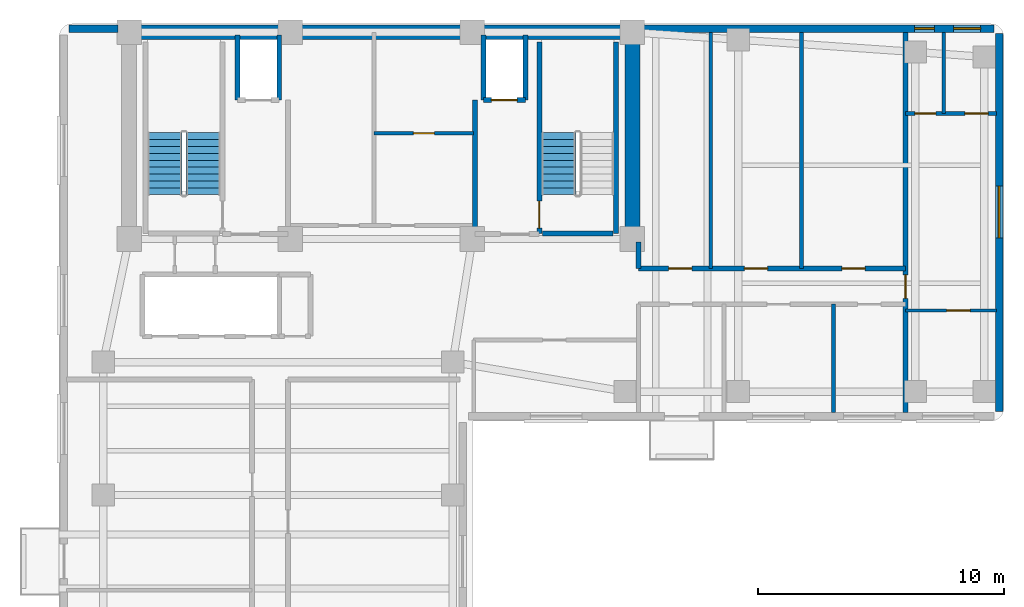
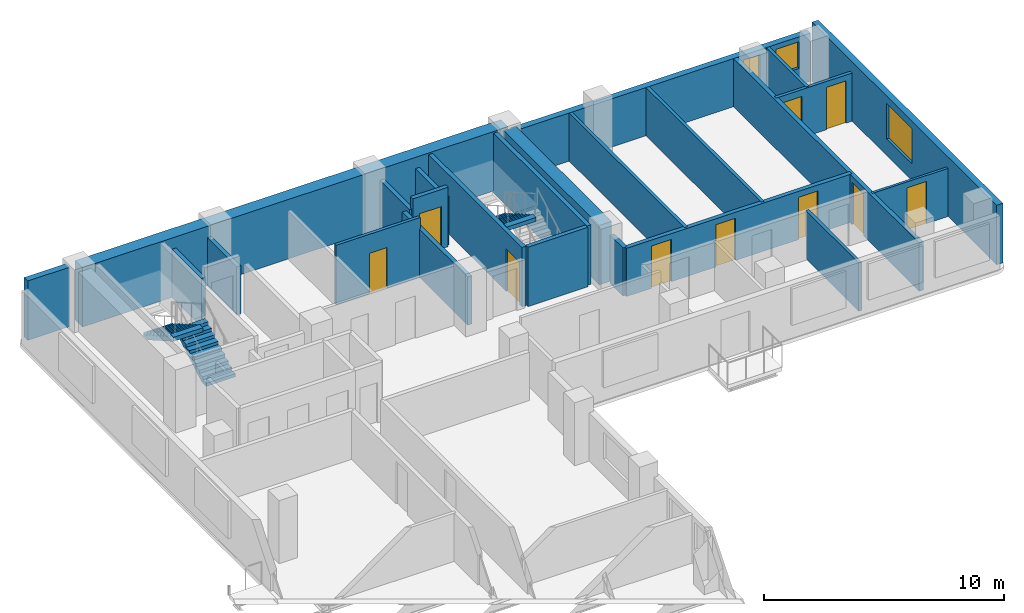
# One storey, part 4 of 7: 24 walls, 10 doors, 3 stair flights, 3 windows, 13 openings, 2 elements without a shape of their own.
"""IFC4 building model written with IfcOpenShell, lengths in metres."""

from ifc_helpers import new_model, si_unit, direction, frame, frame_2d, origin, place, context, subcontext, project, spatial, polyline, rectangle, outline, extrude, material, layer, layer_set, type_object, element, fill, aggregate, save


model = new_model("IFC4")

# Units and contexts
model_context = context("Model", 3, precision=1e-05, world=origin(), true_north=direction((0.0, 1.0)))
body_context = subcontext(model_context, "Body", "Model", "MODEL_VIEW")
ifc_project = project(units=[si_unit("LENGTHUNIT", "METRE"), si_unit("AREAUNIT", "SQUARE_METRE"), si_unit("VOLUMEUNIT", "CUBIC_METRE"), si_unit("PLANEANGLEUNIT", "RADIAN"), si_unit("MASSUNIT", "GRAM", prefix="KILO")], contexts=[model_context])

# Site, building, storey
site_placement = place(None, origin())
site = spatial("IfcSite", under=ifc_project, at=site_placement, CompositionType="ELEMENT")
building_placement = place(site_placement, origin())
building = spatial("IfcBuilding", under=site, at=building_placement, Name="Kuzgunbayir Cultural Tower", CompositionType="ELEMENT")
storey_placement = place(building_placement, frame((0.0, 0.0, 172.800048828125)))
storey = spatial("IfcBuildingStorey", under=building, at=storey_placement, Name="L50", CompositionType="ELEMENT", Elevation=172.800048828125)

# Walls
ifc_material_1 = material(Name="Concrete C60/75", Category="concrete")
ifc_layer_1 = layer(ifc_material_1, 0.60009765625)
ifc_layer_set_1 = layer_set([ifc_layer_1], Name="Concrete C60/75")
wall_type_1 = type_object("IfcWallType", Name="WAL-CORE-600", PredefinedType="SHEAR", material=ifc_layer_set_1)
wall_1_placement = place(storey_placement, frame((6.449951171875, 42.199951171875, 0.0), z_axis=(0.0, 0.0, 1.0), x_axis=(1.0, 0.0, 0.0)))
element("IfcWall", 1, at=wall_1_placement, inside=storey, type_object=wall_type_1, Name="L50 T1 Core North Shear Wall", PredefinedType="SHEAR", context=body_context, shape_type="SweptSolid", body=[
    extrude(rectangle(XDim=20.449951171875, YDim=0.60009765625, at=frame_2d((10.22509765625, 0.0))), origin(), (0.0, 0.0, 1.0), 3.02001953125),
])
wall_2_placement = place(storey_placement, frame((26.89990234375, 33.800048828125, 0.0), z_axis=(0.0, 0.0, 1.0), x_axis=(0.0, 1.0, 0.0)))
element("IfcWall", 2, at=wall_2_placement, inside=storey, type_object=wall_type_1, Name="L50 T1 Core East Shear Wall", PredefinedType="SHEAR", context=body_context, shape_type="SweptSolid", body=[
    extrude(rectangle(XDim=7.949951171875, YDim=0.60009765625, at=frame_2d((3.97509765625, 0.0))), origin(), (0.0, 0.0, 1.0), 3.02001953125),
])

# Wall, openings, windows
ifc_material_2 = material(Name="Anatolian Cream Limestone", Category="masonry")
ifc_layer_2 = layer(ifc_material_2, 0.300048828125)
ifc_layer_set_2 = layer_set([ifc_layer_2], Name="Anatolian Cream Limestone")
wall_type_2 = type_object("IfcWallType", Name="WAL-EXT-STONE-300", PredefinedType="STANDARD", material=ifc_layer_set_2)
wall_3_placement = place(storey_placement, frame((41.60009765625, 42.35009765625, 0.0), z_axis=(0.0, 0.0, 1.0), x_axis=(-1.0, 0.0, 0.0)))
wall_3 = element("IfcWall", 3, at=wall_3_placement, inside=storey, type_object=wall_type_2, Name="L50 North Wing B Limestone Wall", PredefinedType="STANDARD", context=body_context, shape_type="SweptSolid", body=[
    extrude(rectangle(XDim=14.25, YDim=0.300048828125, at=frame_2d((7.125, 0.0))), origin(), (0.0, 0.0, 1.0), 2.449951171875),
])
opening_1_placement = place(wall_3_placement, frame((2.429931640625, 0.0, 0.85009765625)))
opening_1 = element("IfcOpeningElement", 4, at=opening_1_placement, cuts=wall_3, Name="Opening WN-08", PredefinedType="OPENING", context=body_context, shape_type="SweptSolid", body=[
    extrude(rectangle(XDim=0.800048828125, YDim=1.35009765625, at=frame_2d((0.39990234375, 0.675048828125))), frame((0.0, 0.16015625, 0.0), z_axis=(0.0, -1.0, 0.0), x_axis=(1.0, 0.0, 0.0)), (0.0, 0.0, 1.0), 0.320068359375),
])
opening_2_placement = place(wall_3_placement, frame((0.550048828125, 0.0, 0.85009765625)))
opening_2 = element("IfcOpeningElement", 5, at=opening_2_placement, cuts=wall_3, Name="Opening WN-11", PredefinedType="OPENING", context=body_context, shape_type="SweptSolid", body=[
    extrude(rectangle(XDim=1.10009765625, YDim=1.35009765625, at=frame_2d((0.550048828125, 0.675048828125))), frame((0.0, 0.16015625, 0.0), z_axis=(0.0, -1.0, 0.0), x_axis=(1.0, 0.0, 0.0)), (0.0, 0.0, 1.0), 0.320068359375),
])
ifc_material_3 = material(Name="Solar-Control Triple Glazing", Category="glass")
window_type_1 = type_object("IfcWindowType", Name="WIN-NARROW-11", PartitioningType="SINGLE_PANEL", PredefinedType="WINDOW", material=ifc_material_3)
window_1_placement = place(opening_2_placement, origin())
window_1 = element("IfcWindow", 6, at=window_1_placement, inside=storey, type_object=window_type_1, Name="L50 CRN Facade Window 10", OverallHeight=1.35009765625, OverallWidth=1.10009765625, PartitioningType="SINGLE_PANEL", PredefinedType="WINDOW", context=body_context, shape_type="SweptSolid", body=[
    extrude(rectangle(XDim=1.10009765625, YDim=1.35009765625, at=frame_2d((0.550048828125, 0.675048828125))), frame((0.0, 0.030029296875, 0.0), z_axis=(0.0, -1.0, 0.0), x_axis=(1.0, 0.0, 0.0)), (0.0, 0.0, 1.0), 0.06005859375),
])
fill(opening_2, window_1)
window_type_2 = type_object("IfcWindowType", Name="WIN-NARROW-80", PartitioningType="SINGLE_PANEL", PredefinedType="WINDOW", material=ifc_material_3)
window_2_placement = place(opening_1_placement, origin())
window_2 = element("IfcWindow", 7, at=window_2_placement, inside=storey, type_object=window_type_2, Name="L50 CRN Facade Window 9", OverallHeight=1.35009765625, OverallWidth=0.800048828125, PartitioningType="SINGLE_PANEL", PredefinedType="WINDOW", context=body_context, shape_type="SweptSolid", body=[
    extrude(rectangle(XDim=0.800048828125, YDim=1.35009765625, at=frame_2d((0.39990234375, 0.675048828125))), frame((0.0, 0.030029296875, 0.0), z_axis=(0.0, -1.0, 0.0), x_axis=(1.0, 0.0, 0.0)), (0.0, 0.0, 1.0), 0.06005859375),
])
fill(opening_1, window_2)

# Wall
wall_4_placement = place(storey_placement, frame((6.0, 42.35009765625, 0.0), z_axis=(0.0, 0.0, 1.0), x_axis=(-1.0, 0.0, 0.0)))
element("IfcWall", 8, at=wall_4_placement, inside=storey, type_object=wall_type_2, Name="L50 Core North-West Spandrel Link", PredefinedType="STANDARD", context=body_context, shape_type="SweptSolid", body=[
    extrude(rectangle(XDim=2.0, YDim=0.300048828125, at=frame_2d((1.0, 0.0))), origin(), (0.0, 0.0, 1.0), 3.02001953125),
])

# Wall, opening, window
wall_5_placement = place(storey_placement, frame((41.800048828125, 26.800048828125, 0.0), z_axis=(0.0, 0.0, 1.0), x_axis=(0.0, 1.0, 0.0)))
wall_5 = element("IfcWall", 9, at=wall_5_placement, inside=storey, type_object=wall_type_2, Name="L50 Wing B East Limestone Wall", PredefinedType="STANDARD", context=body_context, shape_type="SweptSolid", body=[
    extrude(rectangle(XDim=15.349853515625, YDim=0.300048828125, at=frame_2d((7.6748046875, 0.0))), origin(), (0.0, 0.0, 1.0), 3.02001953125),
])
opening_3_placement = place(wall_5_placement, frame((7.050048828125, 0.0, 0.85009765625)))
opening_3 = element("IfcOpeningElement", 10, at=opening_3_placement, cuts=wall_5, Name="Opening WR-21", PredefinedType="OPENING", context=body_context, shape_type="SweptSolid", body=[
    extrude(rectangle(XDim=2.10009765625, YDim=1.800048828125, at=frame_2d((1.050048828125, 0.89990234375))), frame((0.0, 0.16015625, 0.0), z_axis=(0.0, -1.0, 0.0), x_axis=(1.0, 0.0, 0.0)), (0.0, 0.0, 1.0), 0.320068359375),
])
window_type_3 = type_object("IfcWindowType", Name="WIN-RESID-21", PartitioningType="SINGLE_PANEL", PredefinedType="WINDOW", material=ifc_material_3)
window_3_placement = place(opening_3_placement, origin())
window_3 = element("IfcWindow", 11, at=window_3_placement, inside=storey, type_object=window_type_3, Name="L50 WBE Facade Window 7", OverallHeight=1.800048828125, OverallWidth=2.10009765625, PartitioningType="SINGLE_PANEL", PredefinedType="WINDOW", context=body_context, shape_type="SweptSolid", body=[
    extrude(rectangle(XDim=2.10009765625, YDim=1.800048828125, at=frame_2d((1.050048828125, 0.89990234375))), frame((0.0, 0.030029296875, 0.0), z_axis=(0.0, -1.0, 0.0), x_axis=(1.0, 0.0, 0.0)), (0.0, 0.0, 1.0), 0.06005859375),
])
fill(opening_3, window_3)

# Wall, opening, door
ifc_material_4 = material(Name="Acoustic Double-Stud Drywall", Category="gypsum")
ifc_layer_3 = layer(ifc_material_4, 0.14990234375)
ifc_layer_set_3 = layer_set([ifc_layer_3], Name="Acoustic Double-Stud Drywall")
wall_type_3 = type_object("IfcWallType", Name="WAL-PART-ACOUSTIC-150", PredefinedType="PARTITIONING", material=ifc_layer_set_3)
wall_6_placement = place(storey_placement, frame((16.39990234375, 38.10009765625, 0.0), z_axis=(0.0, 0.0, 1.0), x_axis=(1.0, 0.0, 0.0)))
wall_6 = element("IfcWall", 12, at=wall_6_placement, inside=storey, type_object=wall_type_3, Name="L50 Sky Core Mid Divider", PredefinedType="PARTITIONING", context=body_context, shape_type="SweptSolid", body=[
    extrude(rectangle(XDim=4.050048828125, YDim=0.14990234375, at=frame_2d((2.02490234375, 0.0))), origin(), (0.0, 0.0, 1.0), 3.02001953125),
])
opening_4_placement = place(wall_6_placement, frame((1.60009765625, 0.0, 0.0)))
opening_4 = element("IfcOpeningElement", 13, at=opening_4_placement, cuts=wall_6, Name="Opening DC-85", PredefinedType="OPENING", context=body_context, shape_type="SweptSolid", body=[
    extrude(rectangle(XDim=0.85009765625, YDim=2.050048828125, at=frame_2d((0.425048828125, 1.02490234375))), frame((0.0, 0.0849609375, 0.0), z_axis=(0.0, -1.0, 0.0), x_axis=(1.0, 0.0, 0.0)), (0.0, 0.0, 1.0), 0.169921875),
])
ifc_material_5 = material(Name="Fire-Rated Veneered Oak Leaf", Category="wood")
door_type_1 = type_object("IfcDoorType", Name="DR-CORE-85", OperationType="NOTDEFINED", PredefinedType="DOOR", material=ifc_material_5)
door_1_placement = place(opening_4_placement, origin())
door_1 = element("IfcDoor", 14, at=door_1_placement, inside=storey, type_object=door_type_1, Name="L50 Meditation Room Door", OperationType="SINGLE_SWING_LEFT", OverallHeight=2.050048828125, OverallWidth=0.85009765625, PredefinedType="DOOR", context=body_context, shape_type="SweptSolid", body=[
    extrude(rectangle(XDim=0.85009765625, YDim=2.050048828125, at=frame_2d((0.425048828125, 1.02490234375))), frame((0.0, 0.02490234375, 0.0), z_axis=(0.0, -1.0, 0.0), x_axis=(1.0, 0.0, 0.0)), (0.0, 0.0, 1.0), 0.050048828125),
])
fill(opening_4, door_1)

# Walls
wall_7_placement = place(storey_placement, frame((35.070068359375, 26.75, 0.0), z_axis=(0.0, 0.0, 1.0), x_axis=(0.0, 1.0, 0.0)))
element("IfcWall", 15, at=wall_7_placement, inside=storey, type_object=wall_type_3, Name="L50 Wing B South Divider 2", PredefinedType="PARTITIONING", context=body_context, shape_type="SweptSolid", body=[
    extrude(rectangle(XDim=4.39990234375, YDim=0.14990234375, at=frame_2d((2.199951171875, 0.0))), origin(), (0.0, 0.0, 1.0), 2.449951171875),
])
for number, where, z_axis, x_axis, name in (
    (16, (30.080078125, 32.60009765625, 0.0), (0.0, 0.0, 1.0), (0.0, 1.0, 0.0), "L50 Wing B North Divider 1"),
    (17, (33.77001953125, 32.60009765625, 0.0), (0.0, 0.0, 1.0), (0.0, 1.0, 0.0), "L50 Wing B North Divider 2"),
):
    element("IfcWall", number, at=place(storey_placement, frame(where, z_axis=z_axis, x_axis=x_axis)), inside=storey, type_object=wall_type_3, Name=name, PredefinedType="PARTITIONING", context=body_context, shape_type="SweptSolid", body=[
        extrude(rectangle(XDim=9.599853515625, YDim=0.14990234375, at=frame_2d((4.7998046875, 0.0))), origin(), (0.0, 0.0, 1.0), 2.449951171875),
    ])
ifc_material_6 = material(Name="Aerated Concrete Blockwork", Category="masonry")
ifc_layer_4 = layer(ifc_material_6, 0.199951171875)
ifc_layer_set_4 = layer_set([ifc_layer_4], Name="Aerated Concrete Blockwork")
wall_type_4 = type_object("IfcWallType", Name="WAL-PART-FIRE-200", PredefinedType="PARTITIONING", material=ifc_layer_set_4)
wall_8_placement = place(storey_placement, frame((20.5, 34.0, 0.0), z_axis=(0.0, 0.0, 1.0), x_axis=(0.0, 1.0, 0.0)))
element("IfcWall", 18, at=wall_8_placement, inside=storey, type_object=wall_type_4, Name="L50 FFL-2 Lobby West Fire Wall", PredefinedType="PARTITIONING", context=body_context, shape_type="SweptSolid", body=[
    extrude(rectangle(XDim=5.449951171875, YDim=0.199951171875, at=frame_2d((2.72509765625, 0.0))), origin(), (0.0, 0.0, 1.0), 2.449951171875),
])

# Wall, openings, doors
wall_9_placement = place(storey_placement, frame((27.14990234375, 32.60009765625, 0.0), z_axis=(0.0, 0.0, 1.0), x_axis=(1.0, 0.0, 0.0)))
wall_9 = element("IfcWall", 19, at=wall_9_placement, inside=storey, type_object=wall_type_4, Name="L50 Wing B Residence Corridor North Wall", PredefinedType="PARTITIONING", context=body_context, shape_type="SweptSolid", body=[
    extrude(rectangle(XDim=10.85009765625, YDim=0.199951171875, at=frame_2d((5.425048828125, 0.0))), origin(), (0.0, 0.0, 1.0), 2.449951171875),
])
opening_5_placement = place(wall_9_placement, frame((1.219970703125, 0.0, 0.0)))
opening_5 = element("IfcOpeningElement", 20, at=opening_5_placement, cuts=wall_9, Name="Opening DI-90", PredefinedType="OPENING", context=body_context, shape_type="SweptSolid", body=[
    extrude(rectangle(XDim=0.949951171875, YDim=2.14990234375, at=frame_2d((0.47509765625, 1.074951171875))), frame((0.0, 0.10986328125, 0.0), z_axis=(0.0, -1.0, 0.0), x_axis=(1.0, 0.0, 0.0)), (0.0, 0.0, 1.0), 0.219970703125),
])
opening_6_placement = place(wall_9_placement, frame((4.300048828125, 0.0, 0.0)))
opening_6 = element("IfcOpeningElement", 21, at=opening_6_placement, cuts=wall_9, Name="Opening DI-90", PredefinedType="OPENING", context=body_context, shape_type="SweptSolid", body=[
    extrude(rectangle(XDim=0.949951171875, YDim=2.14990234375, at=frame_2d((0.47509765625, 1.074951171875))), frame((0.0, 0.10986328125, 0.0), z_axis=(0.0, -1.0, 0.0), x_axis=(1.0, 0.0, 0.0)), (0.0, 0.0, 1.0), 0.219970703125),
])
opening_7_placement = place(wall_9_placement, frame((8.260009765625, 0.0, 0.0)))
opening_7 = element("IfcOpeningElement", 22, at=opening_7_placement, cuts=wall_9, Name="Opening DI-90", PredefinedType="OPENING", context=body_context, shape_type="SweptSolid", body=[
    extrude(rectangle(XDim=0.949951171875, YDim=2.14990234375, at=frame_2d((0.47509765625, 1.074951171875))), frame((0.0, 0.10986328125, 0.0), z_axis=(0.0, -1.0, 0.0), x_axis=(1.0, 0.0, 0.0)), (0.0, 0.0, 1.0), 0.219970703125),
])
ifc_material_7 = material(Name="Veneered Oak Single Leaf", Category="wood")
door_type_2 = type_object("IfcDoorType", Name="DR-INT-90", OperationType="NOTDEFINED", PredefinedType="DOOR", material=ifc_material_7)
door_2_placement = place(opening_5_placement, origin())
door_2 = element("IfcDoor", 23, at=door_2_placement, inside=storey, type_object=door_type_2, Name="L50 Residents Art Publication Salon 1 Door", OperationType="SINGLE_SWING_RIGHT", OverallHeight=2.14990234375, OverallWidth=0.949951171875, PredefinedType="DOOR", context=body_context, shape_type="SweptSolid", body=[
    extrude(rectangle(XDim=0.949951171875, YDim=2.14990234375, at=frame_2d((0.47509765625, 1.074951171875))), frame((0.0, 0.02490234375, 0.0), z_axis=(0.0, -1.0, 0.0), x_axis=(1.0, 0.0, 0.0)), (0.0, 0.0, 1.0), 0.050048828125),
])
fill(opening_5, door_2)
door_3_placement = place(opening_6_placement, origin())
door_3 = element("IfcDoor", 24, at=door_3_placement, inside=storey, type_object=door_type_2, Name="L50 Residents Culinary Tasting Pantry 2 Door", OperationType="SINGLE_SWING_LEFT", OverallHeight=2.14990234375, OverallWidth=0.949951171875, PredefinedType="DOOR", context=body_context, shape_type="SweptSolid", body=[
    extrude(rectangle(XDim=0.949951171875, YDim=2.14990234375, at=frame_2d((0.47509765625, 1.074951171875))), frame((0.0, 0.02490234375, 0.0), z_axis=(0.0, -1.0, 0.0), x_axis=(1.0, 0.0, 0.0)), (0.0, 0.0, 1.0), 0.050048828125),
])
fill(opening_6, door_3)
door_4_placement = place(opening_7_placement, origin())
door_4 = element("IfcDoor", 25, at=door_4_placement, inside=storey, type_object=door_type_2, Name="L50 Residents Fellows Reading Lounge 3 Door", OperationType="SINGLE_SWING_RIGHT", OverallHeight=2.14990234375, OverallWidth=0.949951171875, PredefinedType="DOOR", context=body_context, shape_type="SweptSolid", body=[
    extrude(rectangle(XDim=0.949951171875, YDim=2.14990234375, at=frame_2d((0.47509765625, 1.074951171875))), frame((0.0, 0.02490234375, 0.0), z_axis=(0.0, -1.0, 0.0), x_axis=(1.0, 0.0, 0.0)), (0.0, 0.0, 1.0), 0.050048828125),
])
fill(opening_7, door_4)

# Wall
wall_10_placement = place(storey_placement, frame((27.14990234375, 32.60009765625, 0.0), z_axis=(0.0, 0.0, 1.0), x_axis=(0.0, 1.0, 0.0)))
element("IfcWall", 26, at=wall_10_placement, inside=storey, type_object=wall_type_4, Name="L50 Wing B Residence North Core Closure Wall", PredefinedType="PARTITIONING", context=body_context, shape_type="SweptSolid", body=[
    extrude(rectangle(XDim=1.079833984375, YDim=0.199951171875, at=frame_2d((0.5400390625, 0.0))), origin(), (0.0, 0.0, 1.0), 2.449951171875),
])

# Wall, opening, door
wall_11_placement = place(storey_placement, frame((38.0, 26.75, 0.0), z_axis=(0.0, 0.0, 1.0), x_axis=(0.0, 1.0, 0.0)))
wall_11 = element("IfcWall", 27, at=wall_11_placement, inside=storey, type_object=wall_type_4, Name="L50 Apartment D Party Wall", PredefinedType="PARTITIONING", context=body_context, shape_type="SweptSolid", body=[
    extrude(rectangle(XDim=15.449951171875, YDim=0.199951171875, at=frame_2d((7.72509765625, 0.0))), origin(), (0.0, 0.0, 1.0), 2.449951171875),
])
opening_8_placement = place(wall_11_placement, frame((4.639892578125, 0.0, 0.0)))
opening_8 = element("IfcOpeningElement", 28, at=opening_8_placement, cuts=wall_11, Name="Opening DR-APT-60", PredefinedType="OPENING", context=body_context, shape_type="SweptSolid", body=[
    extrude(rectangle(XDim=0.949951171875, YDim=2.14990234375, at=frame_2d((0.47509765625, 1.074951171875))), frame((0.0, 0.10986328125, 0.0), z_axis=(0.0, -1.0, 0.0), x_axis=(1.0, 0.0, 0.0)), (0.0, 0.0, 1.0), 0.219970703125),
])
ifc_material_8 = material(Name="Acoustic Fire Timber Leaf", Category="wood")
door_type_3 = type_object("IfcDoorType", Name="DR-APT-60", OperationType="NOTDEFINED", PredefinedType="DOOR", material=ifc_material_8)
door_5_placement = place(opening_8_placement, origin())
door_5 = element("IfcDoor", 29, at=door_5_placement, inside=storey, type_object=door_type_3, Name="L50 Apartment D Entrance", OperationType="SINGLE_SWING_LEFT", OverallHeight=2.14990234375, OverallWidth=0.949951171875, PredefinedType="DOOR", context=body_context, shape_type="SweptSolid", body=[
    extrude(rectangle(XDim=0.949951171875, YDim=2.14990234375, at=frame_2d((0.47509765625, 1.074951171875))), frame((0.0, 0.02490234375, 0.0), z_axis=(0.0, -1.0, 0.0), x_axis=(1.0, 0.0, 0.0)), (0.0, 0.0, 1.0), 0.050048828125),
])
fill(opening_8, door_5)

ifc_material_9 = material(Name="Framed Gypsum Partition", Category="gypsum")
ifc_layer_5 = layer(ifc_material_9, 0.1201171875)
ifc_layer_set_5 = layer_set([ifc_layer_5], Name="Framed Gypsum Partition")
wall_type_5 = type_object("IfcWallType", Name="WAL-PART-INT-120", PredefinedType="PARTITIONING", material=ifc_layer_set_5)
wall_12_placement = place(storey_placement, frame((38.0, 30.89990234375, 0.0), z_axis=(0.0, 0.0, 1.0), x_axis=(1.0, 0.0, 0.0)))
wall_12 = element("IfcWall", 30, at=wall_12_placement, inside=storey, type_object=wall_type_5, Name="L50 Flat D Bedroom Wall", PredefinedType="PARTITIONING", context=body_context, shape_type="SweptSolid", body=[
    extrude(rectangle(XDim=3.699951171875, YDim=0.1201171875, at=frame_2d((1.85009765625, 0.0))), origin(), (0.0, 0.0, 1.0), 2.449951171875),
])
opening_9_placement = place(wall_12_placement, frame((1.669921875, 0.0, 0.0)))
opening_9 = element("IfcOpeningElement", 31, at=opening_9_placement, cuts=wall_12, Name="Opening DI-90", PredefinedType="OPENING", context=body_context, shape_type="SweptSolid", body=[
    extrude(rectangle(XDim=0.949951171875, YDim=2.14990234375, at=frame_2d((0.47509765625, 1.074951171875))), frame((0.0, 0.070068359375, 0.0), z_axis=(0.0, -1.0, 0.0), x_axis=(1.0, 0.0, 0.0)), (0.0, 0.0, 1.0), 0.14013671875),
])
door_6_placement = place(opening_9_placement, origin())
door_6 = element("IfcDoor", 32, at=door_6_placement, inside=storey, type_object=door_type_2, Name="L50 Apartment D Bedroom Door", OperationType="SINGLE_SWING_RIGHT", OverallHeight=2.14990234375, OverallWidth=0.949951171875, PredefinedType="DOOR", context=body_context, shape_type="SweptSolid", body=[
    extrude(rectangle(XDim=0.949951171875, YDim=2.14990234375, at=frame_2d((0.47509765625, 1.074951171875))), frame((0.0, 0.02490234375, 0.0), z_axis=(0.0, -1.0, 0.0), x_axis=(1.0, 0.0, 0.0)), (0.0, 0.0, 1.0), 0.050048828125),
])
fill(opening_9, door_6)

# Wall, openings, doors
ifc_material_10 = material(Name="Moisture-Resistant Tile Partition", Category="gypsum")
ifc_layer_6 = layer(ifc_material_10, 0.14990234375)
ifc_layer_set_6 = layer_set([ifc_layer_6], Name="Moisture-Resistant Tile Partition")
wall_type_6 = type_object("IfcWallType", Name="WAL-PART-WET-150", PredefinedType="PARTITIONING", material=ifc_layer_set_6)
wall_13_placement = place(storey_placement, frame((38.0, 38.89990234375, 0.0), z_axis=(0.0, 0.0, 1.0), x_axis=(1.0, 0.0, 0.0)))
wall_13 = element("IfcWall", 33, at=wall_13_placement, inside=storey, type_object=wall_type_6, Name="L50 Flat D Service Wall", PredefinedType="PARTITIONING", context=body_context, shape_type="SweptSolid", body=[
    extrude(rectangle(XDim=3.699951171875, YDim=0.14990234375, at=frame_2d((1.85009765625, 0.0))), origin(), (0.0, 0.0, 1.0), 2.449951171875),
])
opening_10_placement = place(wall_13_placement, frame((0.3798828125, 0.0, 0.0)))
opening_10 = element("IfcOpeningElement", 34, at=opening_10_placement, cuts=wall_13, Name="Opening DW-85", PredefinedType="OPENING", context=body_context, shape_type="SweptSolid", body=[
    extrude(rectangle(XDim=0.85009765625, YDim=2.10009765625, at=frame_2d((0.425048828125, 1.050048828125))), frame((0.0, 0.0849609375, 0.0), z_axis=(0.0, -1.0, 0.0), x_axis=(1.0, 0.0, 0.0)), (0.0, 0.0, 1.0), 0.169921875),
])
opening_11_placement = place(wall_13_placement, frame((2.409912109375, 0.0, 0.0)))
opening_11 = element("IfcOpeningElement", 35, at=opening_11_placement, cuts=wall_13, Name="Opening DI-90", PredefinedType="OPENING", context=body_context, shape_type="SweptSolid", body=[
    extrude(rectangle(XDim=0.949951171875, YDim=2.14990234375, at=frame_2d((0.47509765625, 1.074951171875))), frame((0.0, 0.0849609375, 0.0), z_axis=(0.0, -1.0, 0.0), x_axis=(1.0, 0.0, 0.0)), (0.0, 0.0, 1.0), 0.169921875),
])
door_7_placement = place(opening_11_placement, origin())
door_7 = element("IfcDoor", 36, at=door_7_placement, inside=storey, type_object=door_type_2, Name="L50 Apartment D Kitchen Door", OperationType="SINGLE_SWING_RIGHT", OverallHeight=2.14990234375, OverallWidth=0.949951171875, PredefinedType="DOOR", context=body_context, shape_type="SweptSolid", body=[
    extrude(rectangle(XDim=0.949951171875, YDim=2.14990234375, at=frame_2d((0.47509765625, 1.074951171875))), frame((0.0, 0.02490234375, 0.0), z_axis=(0.0, -1.0, 0.0), x_axis=(1.0, 0.0, 0.0)), (0.0, 0.0, 1.0), 0.050048828125),
])
fill(opening_11, door_7)
ifc_material_11 = material(Name="Laminate Moisture-Resistant Leaf", Category="wood")
door_type_4 = type_object("IfcDoorType", Name="DR-WET-85", OperationType="NOTDEFINED", PredefinedType="DOOR", material=ifc_material_11)
door_8_placement = place(opening_10_placement, origin())
door_8 = element("IfcDoor", 37, at=door_8_placement, inside=storey, type_object=door_type_4, Name="L50 Apartment D Bathroom Door", OperationType="SINGLE_SWING_LEFT", OverallHeight=2.10009765625, OverallWidth=0.85009765625, PredefinedType="DOOR", context=body_context, shape_type="SweptSolid", body=[
    extrude(rectangle(XDim=0.85009765625, YDim=2.10009765625, at=frame_2d((0.425048828125, 1.050048828125))), frame((0.0, 0.02490234375, 0.0), z_axis=(0.0, -1.0, 0.0), x_axis=(1.0, 0.0, 0.0)), (0.0, 0.0, 1.0), 0.050048828125),
])
fill(opening_10, door_8)

# Wall
wall_14_placement = place(storey_placement, frame((39.550048828125, 38.89990234375, 0.0), z_axis=(0.0, 0.0, 1.0), x_axis=(0.0, 1.0, 0.0)))
element("IfcWall", 38, at=wall_14_placement, inside=storey, type_object=wall_type_6, Name="L50 Flat D Bath Divider", PredefinedType="PARTITIONING", context=body_context, shape_type="SweptSolid", body=[
    extrude(rectangle(XDim=3.300048828125, YDim=0.14990234375, at=frame_2d((1.64990234375, 0.0))), origin(), (0.0, 0.0, 1.0), 2.449951171875),
])

# Wall, opening, door
ifc_material_12 = material(Name="Concrete C40/50", Category="concrete")
ifc_layer_7 = layer(ifc_material_12, 0.199951171875)
ifc_layer_set_7 = layer_set([ifc_layer_7], Name="Concrete C40/50")
wall_type_7 = type_object("IfcWallType", Name="WAL-SHAFT-200", PredefinedType="MOVABLE", material=ifc_layer_set_7)
wall_15_placement = place(storey_placement, frame((20.85009765625, 39.449951171875, 0.0), z_axis=(0.0, 0.0, 1.0), x_axis=(1.0, 0.0, 0.0)))
wall_15 = element("IfcWall", 39, at=wall_15_placement, inside=storey, type_object=wall_type_7, Name="L50 FFL-2 Lift Front Wall", PredefinedType="MOVABLE", context=body_context, shape_type="SweptSolid", body=[
    extrude(rectangle(XDim=1.699951171875, YDim=0.199951171875, at=frame_2d((0.85009765625, 0.0))), origin(), (0.0, 0.0, 1.0), 3.02001953125),
])
opening_12_placement = place(wall_15_placement, frame((0.320068359375, 0.0, 0.0)))
opening_12 = element("IfcOpeningElement", 40, at=opening_12_placement, cuts=wall_15, Name="Opening LD", PredefinedType="OPENING", context=body_context, shape_type="SweptSolid", body=[
    extrude(rectangle(XDim=1.050048828125, YDim=2.14990234375, at=frame_2d((0.52490234375, 1.074951171875))), frame((0.0, 0.10986328125, 0.0), z_axis=(0.0, -1.0, 0.0), x_axis=(1.0, 0.0, 0.0)), (0.0, 0.0, 1.0), 0.219970703125),
])
ifc_material_13 = material(Name="Brushed Stainless Steel", Category="steel")
door_type_5 = type_object("IfcDoorType", Name="DR-LIFT-LANDING", OperationType="SLIDING_TO_LEFT", PredefinedType="DOOR", material=ifc_material_13)
door_9_placement = place(opening_12_placement, origin())
door_9 = element("IfcDoor", 41, at=door_9_placement, inside=storey, type_object=door_type_5, Name="L50 Lift FFL-2 Landing Door", OperationType="SLIDING_TO_LEFT", OverallHeight=2.14990234375, OverallWidth=1.050048828125, PredefinedType="DOOR", context=body_context, shape_type="SweptSolid", body=[
    extrude(rectangle(XDim=1.050048828125, YDim=2.14990234375, at=frame_2d((0.52490234375, 1.074951171875))), frame((0.0, 0.02490234375, 0.0), z_axis=(0.0, -1.0, 0.0), x_axis=(1.0, 0.0, 0.0)), (0.0, 0.0, 1.0), 0.050048828125),
])
fill(opening_12, door_9)

# Walls
for number, where, z_axis, x_axis, name in (
    (42, (10.85009765625, 39.449951171875, 0.0), (0.0, 0.0, 1.0), (0.0, 1.0, 0.0), "L50 FFL-1 Shaft West Wall"),
    (43, (12.550048828125, 39.449951171875, 0.0), (0.0, 0.0, 1.0), (0.0, 1.0, 0.0), "L50 FFL-1 Shaft East Wall"),
    (44, (20.85009765625, 39.449951171875, 0.0), (0.0, 0.0, 1.0), (0.0, 1.0, 0.0), "L50 FFL-2 Shaft West Wall"),
    (45, (22.550048828125, 39.449951171875, 0.0), (0.0, 0.0, 1.0), (0.0, 1.0, 0.0), "L50 FFL-2 Shaft East Wall"),
):
    element("IfcWall", number, at=place(storey_placement, frame(where, z_axis=z_axis, x_axis=x_axis)), inside=storey, type_object=wall_type_7, Name=name, PredefinedType="MOVABLE", context=body_context, shape_type="SweptSolid", body=[
        extrude(rectangle(XDim=2.650146484375, YDim=0.199951171875, at=frame_2d((1.3251953125, 0.0))), origin(), (0.0, 0.0, 1.0), 2.449951171875),
    ])

# Wall, opening, door
ifc_layer_8 = layer(ifc_material_12, 0.199951171875)
ifc_layer_set_8 = layer_set([ifc_layer_8], Name="Concrete C40/50")
wall_type_8 = type_object("IfcWallType", Name="WAL-STAIR-RC-200", PredefinedType="SHEAR", material=ifc_layer_set_8)
wall_16_placement = place(storey_placement, frame((23.1201171875, 34.02001953125, 0.0), z_axis=(0.0, 0.0, 1.0), x_axis=(0.0, 1.0, 0.0)))
wall_16 = element("IfcWall", 46, at=wall_16_placement, inside=storey, type_object=wall_type_8, Name="L50 Stair ST-2 West Structural Wall", PredefinedType="SHEAR", context=body_context, shape_type="SweptSolid", body=[
    extrude(rectangle(XDim=7.780029296875, YDim=0.199951171875, at=frame_2d((3.89013671875, 0.0))), origin(), (0.0, 0.0, 1.0), 3.02001953125),
])
opening_13_placement = place(wall_16_placement, frame((0.219970703125, 0.0, 0.0)))
opening_13 = element("IfcOpeningElement", 47, at=opening_13_placement, cuts=wall_16, Name="Opening DR-STAIR-90", PredefinedType="OPENING", context=body_context, shape_type="SweptSolid", body=[
    extrude(rectangle(XDim=1.10009765625, YDim=2.14990234375, at=frame_2d((0.550048828125, 1.074951171875))), frame((0.0, 0.10986328125, 0.0), z_axis=(0.0, -1.0, 0.0), x_axis=(1.0, 0.0, 0.0)), (0.0, 0.0, 1.0), 0.219970703125),
])
ifc_material_14 = material(Name="Steel S355J2", Category="steel")
door_type_6 = type_object("IfcDoorType", Name="DR-STAIR-90", OperationType="NOTDEFINED", PredefinedType="DOOR", material=ifc_material_14)
door_10_placement = place(opening_13_placement, origin())
door_10 = element("IfcDoor", 48, at=door_10_placement, inside=storey, type_object=door_type_6, Name="L50 Stair ST-2 Fire Door", OperationType="SINGLE_SWING_RIGHT", OverallHeight=2.14990234375, OverallWidth=1.10009765625, PredefinedType="DOOR", context=body_context, shape_type="SweptSolid", body=[
    extrude(rectangle(XDim=1.10009765625, YDim=2.14990234375, at=frame_2d((0.550048828125, 1.074951171875))), frame((0.0, 0.02490234375, 0.0), z_axis=(0.0, -1.0, 0.0), x_axis=(1.0, 0.0, 0.0)), (0.0, 0.0, 1.0), 0.050048828125),
])
fill(opening_13, door_10)

# Walls
wall_17_placement = place(storey_placement, frame((26.239990234375, 34.02001953125, 0.0), z_axis=(0.0, 0.0, 1.0), x_axis=(0.0, 1.0, 0.0)))
element("IfcWall", 49, at=wall_17_placement, inside=storey, type_object=wall_type_8, Name="L50 Stair ST-2 East Structural Wall", PredefinedType="SHEAR", context=body_context, shape_type="SweptSolid", body=[
    extrude(rectangle(XDim=7.780029296875, YDim=0.199951171875, at=frame_2d((3.89013671875, 0.0))), origin(), (0.0, 0.0, 1.0), 3.02001953125),
])
wall_18_placement = place(storey_placement, frame((23.239990234375, 34.02001953125, 0.0), z_axis=(0.0, 0.0, 1.0), x_axis=(1.0, 0.0, 0.0)))
element("IfcWall", 50, at=wall_18_placement, inside=storey, type_object=wall_type_8, Name="L50 Stair ST-2 South Structural Wall", PredefinedType="SHEAR", context=body_context, shape_type="SweptSolid", body=[
    extrude(rectangle(XDim=2.880126953125, YDim=0.199951171875, at=frame_2d((1.43994140625, 0.0))), origin(), (0.0, 0.0, 1.0), 3.02001953125),
])

# Stair, stair flights
stair_type = type_object("IfcStairType", Name="STR-EXIT-CORE", PredefinedType="HALF_TURN_STAIR", material=ifc_material_12)
stair_1_placement = place(storey_placement, origin())
stair_1 = element("IfcStair", 51, at=stair_1_placement, inside=storey, type_object=stair_type, Name="L50 ST-1", PredefinedType="HALF_TURN_STAIR")
stair_flight_type = type_object("IfcStairFlightType", Name="STRF-RC-140", PredefinedType="STRAIGHT", material=ifc_material_12)
stair_flight_1_placement = place(storey_placement, frame((9.4599609375, 35.60009765625, 0.0), z_axis=(0.0, 0.0, 1.0), x_axis=(0.0, 1.0, 0.0)))
stair_flight_1 = element("IfcStairFlight", 52, at=stair_flight_1_placement, type_object=stair_flight_type, Name="ST-1 flight 1", NumberOfRisers=10, NumberOfTreads=9, PredefinedType="STRAIGHT", RiserHeight=0.16, TreadLength=0.28, context=body_context, shape_type="SweptSolid", body=[
    extrude(outline(polyline([(0.0, 0.0), (0.0, 0.159912109375), (0.280029296875, 0.159912109375), (0.280029296875, 0.320068359375), (0.56005859375, 0.320068359375), (0.56005859375, 0.47998046875), (0.840087890625, 0.47998046875), (0.840087890625, 0.639892578125), (1.1201171875, 0.639892578125), (1.1201171875, 0.800048828125), (1.39990234375, 0.800048828125), (1.39990234375, 0.9599609375), (1.679931640625, 0.9599609375), (1.679931640625, 1.1201171875), (1.9599609375, 1.1201171875), (1.9599609375, 1.280029296875), (2.239990234375, 1.280029296875), (2.239990234375, 1.43994140625), (2.52001953125, 1.43994140625), (2.52001953125, 1.60009765625), (2.52001953125, 1.232666015625), (0.362548828125, 0.0), (0.0, 0.0)])), frame((0.0, 0.699951171875, 0.0), z_axis=(0.0, -1.0, 0.0), x_axis=(1.0, 0.0, 0.0)), (0.0, 0.0, 1.0), 1.39990234375),
])
stair_flight_2_placement = place(storey_placement, frame((7.89990234375, 38.1201171875, 1.599853515625), z_axis=(0.0, 0.0, 1.0), x_axis=(0.0, -1.0, 0.0)))
stair_flight_2 = element("IfcStairFlight", 53, at=stair_flight_2_placement, type_object=stair_flight_type, Name="ST-1 flight 2", NumberOfRisers=10, NumberOfTreads=9, PredefinedType="STRAIGHT", RiserHeight=0.16, TreadLength=0.28, context=body_context, shape_type="SweptSolid", body=[
    extrude(outline(polyline([(0.0, 0.0), (0.0, 0.159912109375), (0.280029296875, 0.159912109375), (0.280029296875, 0.320068359375), (0.56005859375, 0.320068359375), (0.56005859375, 0.47998046875), (0.840087890625, 0.47998046875), (0.840087890625, 0.639892578125), (1.1201171875, 0.639892578125), (1.1201171875, 0.800048828125), (1.39990234375, 0.800048828125), (1.39990234375, 0.9599609375), (1.679931640625, 0.9599609375), (1.679931640625, 1.1201171875), (1.9599609375, 1.1201171875), (1.9599609375, 1.280029296875), (2.239990234375, 1.280029296875), (2.239990234375, 1.43994140625), (2.52001953125, 1.43994140625), (2.52001953125, 1.60009765625), (2.52001953125, 1.232666015625), (0.362548828125, 0.0), (0.0, 0.0)])), frame((0.0, 0.699951171875, 0.0), z_axis=(0.0, -1.0, 0.0), x_axis=(1.0, 0.0, 0.0)), (0.0, 0.0, 1.0), 1.39990234375),
])
aggregate(stair_1, [stair_flight_1, stair_flight_2])

# Stair, stair flight
stair_2_placement = place(storey_placement, origin())
stair_2 = element("IfcStair", 54, at=stair_2_placement, inside=storey, type_object=stair_type, Name="L50 ST-2", PredefinedType="HALF_TURN_STAIR")
stair_flight_3_placement = place(storey_placement, frame((23.89990234375, 38.1201171875, 1.599853515625), z_axis=(0.0, 0.0, 1.0), x_axis=(0.0, -1.0, 0.0)))
stair_flight_3 = element("IfcStairFlight", 55, at=stair_flight_3_placement, type_object=stair_flight_type, Name="ST-2 flight 2", NumberOfRisers=10, NumberOfTreads=9, PredefinedType="STRAIGHT", RiserHeight=0.16, TreadLength=0.28, context=body_context, shape_type="SweptSolid", body=[
    extrude(outline(polyline([(0.0, 0.0), (0.0, 0.159912109375), (0.280029296875, 0.159912109375), (0.280029296875, 0.320068359375), (0.56005859375, 0.320068359375), (0.56005859375, 0.47998046875), (0.840087890625, 0.47998046875), (0.840087890625, 0.639892578125), (1.1201171875, 0.639892578125), (1.1201171875, 0.800048828125), (1.39990234375, 0.800048828125), (1.39990234375, 0.9599609375), (1.679931640625, 0.9599609375), (1.679931640625, 1.1201171875), (1.9599609375, 1.1201171875), (1.9599609375, 1.280029296875), (2.239990234375, 1.280029296875), (2.239990234375, 1.43994140625), (2.52001953125, 1.43994140625), (2.52001953125, 1.60009765625), (2.52001953125, 1.232666015625), (0.362548828125, 0.0), (0.0, 0.0)])), frame((0.0, 0.699951171875, 0.0), z_axis=(0.0, -1.0, 0.0), x_axis=(1.0, 0.0, 0.0)), (0.0, 0.0, 1.0), 1.39990234375),
])
aggregate(stair_2, [stair_flight_3])

save(model, "model.ifc")
